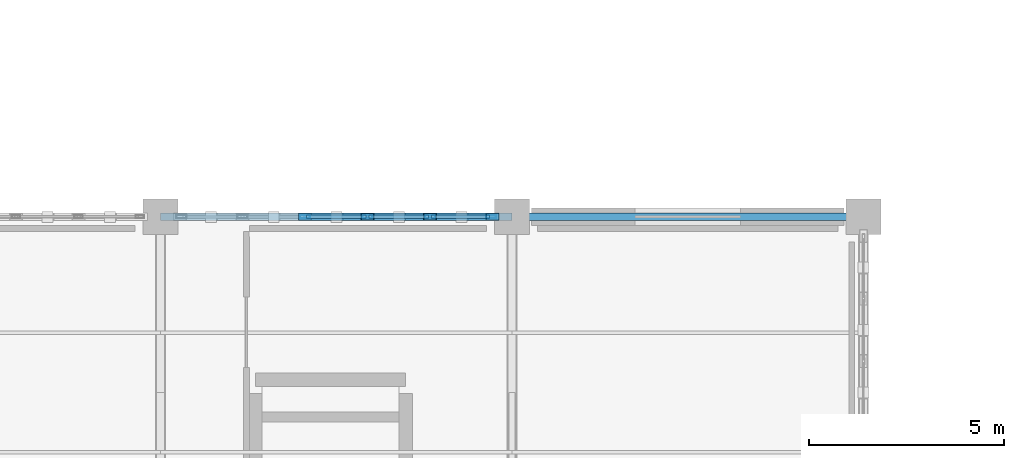
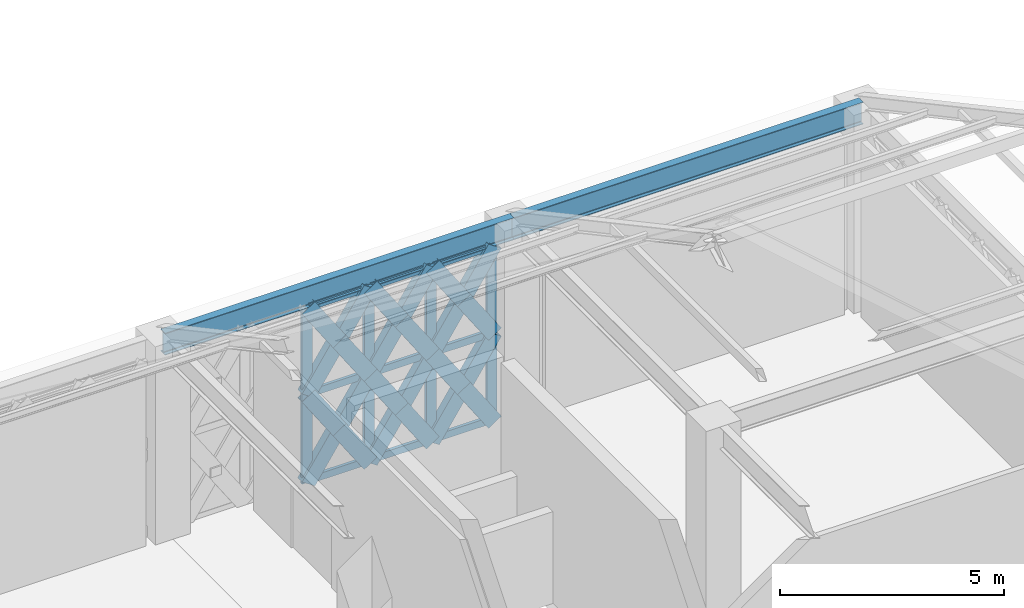
# One storey, part 68 of 166: 31 members, 2 beams, 1 element without a shape of its own.
"""IFC4 building model written with IfcOpenShell, lengths in metres."""

from ifc_helpers import new_model, si_unit, direction, frame, origin, origin_2d, place, context, subcontext, project, spatial, hollow_rectangle, i_section, extrude, material, material_profile, profile_set, type_object, element, aggregate, save


model = new_model("IFC4")

# Units and contexts
model_context = context("Model", 3, precision=1e-05, world=origin(), true_north=direction((0.0, 1.0)))
body_context = subcontext(model_context, "Body", "Model", "MODEL_VIEW")
ifc_project = project(units=[si_unit("LENGTHUNIT", "METRE"), si_unit("AREAUNIT", "SQUARE_METRE"), si_unit("VOLUMEUNIT", "CUBIC_METRE"), si_unit("PLANEANGLEUNIT", "RADIAN"), si_unit("MASSUNIT", "GRAM", prefix="KILO")], contexts=[model_context])

# Site, building, storey
site_placement = place(None, origin())
site = spatial("IfcSite", under=ifc_project, at=site_placement, CompositionType="ELEMENT")
building_placement = place(site_placement, origin())
building = spatial("IfcBuilding", under=site, at=building_placement, Name="Haizhuo Lancet Aquarium", CompositionType="ELEMENT")
storey_placement = place(building_placement, frame((0.0, 0.0, 5.39990234375)))
storey = spatial("IfcBuildingStorey", under=building, at=storey_placement, Name="L01", CompositionType="ELEMENT", Elevation=5.39990234375)

# Beams
ifc_material_1 = material(Name="Steel S355", Category="steel")
ifc_material_profile_1 = material_profile(ifc_material_1, i_section(OverallWidth=0.199951171875, OverallDepth=0.60009765625, WebThickness=0.010986328125, FlangeThickness=0.01708984375, FilletRadius=0.02197265625, at=origin_2d()), Name="HN 600x200x11x17")
ifc_profile_set_1 = profile_set([ifc_material_profile_1], Name="Steel S355")
beam_type = type_object("IfcBeamType", Name="BM-ST-HN600", PredefinedType="BEAM", material=ifc_profile_set_1)
for number, where, z_axis, x_axis, name in (
    (1, (-54.0, 27.0, 5.10009765625), (1.0, 0.0, 0.0), (0.0, 1.0, 0.0), "L01 V2 primary girder BM-L01-V2-017"),
    (2, (-45.0, 27.0, 5.10009765625), (1.0, 0.0, 0.0), (0.0, 1.0, 0.0), "L01 V2 primary girder BM-L01-V2-022"),
):
    element("IfcBeam", number, at=place(storey_placement, frame(where, z_axis=z_axis, x_axis=x_axis)), inside=storey, type_object=beam_type, Name=name, PredefinedType="BEAM", context=body_context, shape_type="SweptSolid", body=[
        extrude(i_section(OverallWidth=0.199951171875, OverallDepth=0.60009765625, WebThickness=0.010986328125, FlangeThickness=0.01708984375, FilletRadius=0.02197265625, at=origin_2d()), origin(), (0.0, 0.0, 1.0), 9.0),
    ])

# Curtain wall, members
ifc_material_2 = material(Name="Aluminium 6063-T6", Category="aluminium")
curtain_wall_type = type_object("IfcCurtainWallType", Name="CWD-8010x4800", PredefinedType="NOTDEFINED", material=ifc_material_2)
curtain_wall_placement = place(storey_placement, origin())
curtain_wall = element("IfcCurtainWall", 3, at=curtain_wall_placement, inside=storey, type_object=curtain_wall_type, Name="L01 curtain wall CW-V2-L01-024", PredefinedType="NOTDEFINED")
ifc_material_profile_2 = material_profile(ifc_material_2, hollow_rectangle(XDim=0.080078125, YDim=0.260009765625, WallThickness=0.0048828125, at=origin_2d()), Name="ALU-M 80x260x5")
ifc_profile_set_2 = profile_set([ifc_material_profile_2], Name="Aluminium 6063-T6")
member_type_1 = type_object("IfcMemberType", Name="CW-MUL-3", PredefinedType="MULLION", material=ifc_profile_set_2)
member_1_placement = place(storey_placement, frame((-50.301025390625, 27.0, 0.0), z_axis=(0.0, 0.0, 1.0), x_axis=(0.0, 1.0, 0.0)))
member_1 = element("IfcMember", 4, at=member_1_placement, type_object=member_type_1, Name="CWD-80x48 mullion 3", PredefinedType="MULLION", context=body_context, shape_type="SweptSolid", body=[
    extrude(hollow_rectangle(XDim=0.080078125, YDim=0.260009765625, WallThickness=0.0048828125, at=origin_2d()), origin(), (0.0, 0.0, 1.0), 4.800048828125),
])
member_2_placement = place(storey_placement, frame((-48.698974609375, 27.0, 0.0), z_axis=(0.0, 0.0, 1.0), x_axis=(0.0, 1.0, 0.0)))
member_2 = element("IfcMember", 5, at=member_2_placement, type_object=member_type_1, Name="CWD-80x48 mullion 4", PredefinedType="MULLION", context=body_context, shape_type="SweptSolid", body=[
    extrude(hollow_rectangle(XDim=0.080078125, YDim=0.260009765625, WallThickness=0.0048828125, at=origin_2d()), origin(), (0.0, 0.0, 1.0), 4.800048828125),
])
member_3_placement = place(storey_placement, frame((-47.096923828125, 27.0, 0.0), z_axis=(0.0, 0.0, 1.0), x_axis=(0.0, 1.0, 0.0)))
member_3 = element("IfcMember", 6, at=member_3_placement, type_object=member_type_1, Name="CWD-80x48 mullion 5", PredefinedType="MULLION", context=body_context, shape_type="SweptSolid", body=[
    extrude(hollow_rectangle(XDim=0.080078125, YDim=0.260009765625, WallThickness=0.0048828125, at=origin_2d()), origin(), (0.0, 0.0, 1.0), 4.800048828125),
])
member_4_placement = place(storey_placement, frame((-45.534912109375, 27.0, 0.0), z_axis=(0.0, 0.0, 1.0), x_axis=(0.0, 1.0, 0.0)))
member_4 = element("IfcMember", 7, at=member_4_placement, type_object=member_type_1, Name="CWD-80x48 mullion 6", PredefinedType="MULLION", context=body_context, shape_type="SweptSolid", body=[
    extrude(hollow_rectangle(XDim=0.080078125, YDim=0.260009765625, WallThickness=0.0048828125, at=origin_2d()), origin(), (0.0, 0.0, 1.0), 4.800048828125),
])
ifc_material_profile_3 = material_profile(ifc_material_2, hollow_rectangle(XDim=0.080078125, YDim=0.18994140625, WallThickness=0.0048828125, at=origin_2d()), Name="ALU-T 80x190x5")
ifc_profile_set_3 = profile_set([ifc_material_profile_3], Name="Aluminium 6063-T6")
member_type_2 = type_object("IfcMemberType", Name="CW-TRN-3", PredefinedType="NOTDEFINED", material=ifc_profile_set_3)
member_5_placement = place(storey_placement, frame((-50.260986328125, 27.0, 0.0400390625), z_axis=(1.0, 0.0, 0.0), x_axis=(0.0, 1.0, 0.0)))
member_5 = element("IfcMember", 8, at=member_5_placement, type_object=member_type_2, Name="CWD-80x48 transom 3.1", ObjectType="TRANSOM", PredefinedType="USERDEFINED", context=body_context, shape_type="SweptSolid", body=[
    extrude(hollow_rectangle(XDim=0.080078125, YDim=0.18994140625, WallThickness=0.0048828125, at=origin_2d()), origin(), (0.0, 0.0, 1.0), 1.52197265625),
])
member_6_placement = place(storey_placement, frame((-50.260986328125, 27.0, 2.400146484375), z_axis=(1.0, 0.0, 0.0), x_axis=(0.0, 1.0, 0.0)))
member_6 = element("IfcMember", 9, at=member_6_placement, type_object=member_type_2, Name="CWD-80x48 transom 3.2", ObjectType="TRANSOM", PredefinedType="USERDEFINED", context=body_context, shape_type="SweptSolid", body=[
    extrude(hollow_rectangle(XDim=0.080078125, YDim=0.18994140625, WallThickness=0.0048828125, at=origin_2d()), origin(), (0.0, 0.0, 1.0), 1.52197265625),
])
member_7_placement = place(storey_placement, frame((-50.260986328125, 27.0, 4.760009765625), z_axis=(1.0, 0.0, 0.0), x_axis=(0.0, 1.0, 0.0)))
member_7 = element("IfcMember", 10, at=member_7_placement, type_object=member_type_2, Name="CWD-80x48 transom 3.3", ObjectType="TRANSOM", PredefinedType="USERDEFINED", context=body_context, shape_type="SweptSolid", body=[
    extrude(hollow_rectangle(XDim=0.080078125, YDim=0.18994140625, WallThickness=0.0048828125, at=origin_2d()), origin(), (0.0, 0.0, 1.0), 1.52197265625),
])
member_8_placement = place(storey_placement, frame((-48.658935546875, 27.0, 0.0400390625), z_axis=(1.0, 0.0, 0.0), x_axis=(0.0, 1.0, 0.0)))
member_8 = element("IfcMember", 11, at=member_8_placement, type_object=member_type_2, Name="CWD-80x48 transom 4.1", ObjectType="TRANSOM", PredefinedType="USERDEFINED", context=body_context, shape_type="SweptSolid", body=[
    extrude(hollow_rectangle(XDim=0.080078125, YDim=0.18994140625, WallThickness=0.0048828125, at=origin_2d()), origin(), (0.0, 0.0, 1.0), 1.52197265625),
])
member_9_placement = place(storey_placement, frame((-48.658935546875, 27.0, 2.400146484375), z_axis=(1.0, 0.0, 0.0), x_axis=(0.0, 1.0, 0.0)))
member_9 = element("IfcMember", 12, at=member_9_placement, type_object=member_type_2, Name="CWD-80x48 transom 4.2", ObjectType="TRANSOM", PredefinedType="USERDEFINED", context=body_context, shape_type="SweptSolid", body=[
    extrude(hollow_rectangle(XDim=0.080078125, YDim=0.18994140625, WallThickness=0.0048828125, at=origin_2d()), origin(), (0.0, 0.0, 1.0), 1.52197265625),
])
member_10_placement = place(storey_placement, frame((-48.658935546875, 27.0, 4.760009765625), z_axis=(1.0, 0.0, 0.0), x_axis=(0.0, 1.0, 0.0)))
member_10 = element("IfcMember", 13, at=member_10_placement, type_object=member_type_2, Name="CWD-80x48 transom 4.3", ObjectType="TRANSOM", PredefinedType="USERDEFINED", context=body_context, shape_type="SweptSolid", body=[
    extrude(hollow_rectangle(XDim=0.080078125, YDim=0.18994140625, WallThickness=0.0048828125, at=origin_2d()), origin(), (0.0, 0.0, 1.0), 1.52197265625),
])
member_11_placement = place(storey_placement, frame((-47.056884765625, 27.0, 0.0400390625), z_axis=(1.0, 0.0, 0.0), x_axis=(0.0, 1.0, 0.0)))
member_11 = element("IfcMember", 14, at=member_11_placement, type_object=member_type_2, Name="CWD-80x48 transom 5.1", ObjectType="TRANSOM", PredefinedType="USERDEFINED", context=body_context, shape_type="SweptSolid", body=[
    extrude(hollow_rectangle(XDim=0.080078125, YDim=0.18994140625, WallThickness=0.0048828125, at=origin_2d()), origin(), (0.0, 0.0, 1.0), 1.48193359375),
])
member_12_placement = place(storey_placement, frame((-47.056884765625, 27.0, 2.400146484375), z_axis=(1.0, 0.0, 0.0), x_axis=(0.0, 1.0, 0.0)))
member_12 = element("IfcMember", 15, at=member_12_placement, type_object=member_type_2, Name="CWD-80x48 transom 5.2", ObjectType="TRANSOM", PredefinedType="USERDEFINED", context=body_context, shape_type="SweptSolid", body=[
    extrude(hollow_rectangle(XDim=0.080078125, YDim=0.18994140625, WallThickness=0.0048828125, at=origin_2d()), origin(), (0.0, 0.0, 1.0), 1.48193359375),
])
member_13_placement = place(storey_placement, frame((-47.056884765625, 27.0, 4.760009765625), z_axis=(1.0, 0.0, 0.0), x_axis=(0.0, 1.0, 0.0)))
member_13 = element("IfcMember", 16, at=member_13_placement, type_object=member_type_2, Name="CWD-80x48 transom 5.3", ObjectType="TRANSOM", PredefinedType="USERDEFINED", context=body_context, shape_type="SweptSolid", body=[
    extrude(hollow_rectangle(XDim=0.080078125, YDim=0.18994140625, WallThickness=0.0048828125, at=origin_2d()), origin(), (0.0, 0.0, 1.0), 1.48193359375),
])
aggregate(curtain_wall, [member_1, member_2, member_3, member_4, member_5, member_6, member_7, member_8, member_9, member_10, member_11, member_12, member_13])

# Members
ifc_material_profile_4 = material_profile(ifc_material_1, hollow_rectangle(XDim=0.199951171875, YDim=0.39990234375, WallThickness=0.011962890625, at=origin_2d()), Name="RHS 200x400x12")
ifc_profile_set_4 = profile_set([ifc_material_profile_4], Name="Steel S355")
member_type_3 = type_object("IfcMemberType", Name="MEM-LB-RHS200x400", PredefinedType="BRACE", material=ifc_profile_set_4)
member_14_placement = place(storey_placement, frame((-50.301025390625, 27.0, 0.0), z_axis=(0.555168681931, 0.0, 0.831737779954), x_axis=(0.0, 1.0, 0.0)))
element("IfcMember", 17, at=member_14_placement, inside=storey, type_object=member_type_3, Name="Gothic lancet continuous diagonal brace CW-V2-L01-024 5A", PredefinedType="BRACE", context=body_context, shape_type="SweptSolid", body=[
    extrude(hollow_rectangle(XDim=0.199951171875, YDim=0.39990234375, WallThickness=0.011962890625, at=origin_2d()), origin(), (0.0, 0.0, 1.0), 2.8857421875),
])
member_15_placement = place(storey_placement, frame((-48.698974609375, 27.0, 0.0), z_axis=(-0.555129617962, 0.0, 0.831763853063), x_axis=(0.0, -1.0, 0.0)))
element("IfcMember", 18, at=member_15_placement, inside=storey, type_object=member_type_3, Name="Gothic lancet split diagonal brace CW-V2-L01-024 5B1", PredefinedType="BRACE", context=body_context, shape_type="SweptSolid", body=[
    extrude(hollow_rectangle(XDim=0.199951171875, YDim=0.39990234375, WallThickness=0.011962890625, at=origin_2d()), origin(), (0.0, 0.0, 1.0), 1.44287109375),
])
member_16_placement = place(storey_placement, frame((-49.5, 27.0, 1.2001953125), z_axis=(-0.555207750173, 0.0, 0.831711701341), x_axis=(0.0, -1.0, 0.0)))
element("IfcMember", 19, at=member_16_placement, inside=storey, type_object=member_type_3, Name="Gothic lancet split diagonal brace CW-V2-L01-024 5B2", PredefinedType="BRACE", context=body_context, shape_type="SweptSolid", body=[
    extrude(hollow_rectangle(XDim=0.199951171875, YDim=0.39990234375, WallThickness=0.011962890625, at=origin_2d()), origin(), (0.0, 0.0, 1.0), 1.442626953125),
])
member_17_placement = place(storey_placement, frame((-50.301025390625, 27.0, 2.400146484375), z_axis=(0.555207750173, 0.0, 0.831711701341), x_axis=(0.0, 1.0, 0.0)))
element("IfcMember", 20, at=member_17_placement, inside=storey, type_object=member_type_3, Name="Gothic lancet continuous diagonal brace CW-V2-L01-024 6A", PredefinedType="BRACE", context=body_context, shape_type="SweptSolid", body=[
    extrude(hollow_rectangle(XDim=0.199951171875, YDim=0.39990234375, WallThickness=0.011962890625, at=origin_2d()), origin(), (0.0, 0.0, 1.0), 2.885498046875),
])
for number, where, z_axis, x_axis, name in (
    (21, (-48.698974609375, 27.0, 2.400146484375), (-0.555207750173, 0.0, 0.831711701341), (0.0, -1.0, 0.0), "Gothic lancet split diagonal brace CW-V2-L01-024 6B1"),
    (22, (-49.5, 27.0, 3.60009765625), (-0.555207750173, 0.0, 0.831711701341), (0.0, -1.0, 0.0), "Gothic lancet split diagonal brace CW-V2-L01-024 6B2"),
):
    element("IfcMember", number, at=place(storey_placement, frame(where, z_axis=z_axis, x_axis=x_axis)), inside=storey, type_object=member_type_3, Name=name, PredefinedType="BRACE", context=body_context, shape_type="SweptSolid", body=[
        extrude(hollow_rectangle(XDim=0.199951171875, YDim=0.39990234375, WallThickness=0.011962890625, at=origin_2d()), origin(), (0.0, 0.0, 1.0), 1.442626953125),
    ])
member_18_placement = place(storey_placement, frame((-48.698974609375, 27.0, 0.0), z_axis=(0.555168681931, 0.0, 0.831737779954), x_axis=(0.0, 1.0, 0.0)))
element("IfcMember", 23, at=member_18_placement, inside=storey, type_object=member_type_3, Name="Gothic lancet continuous diagonal brace CW-V2-L01-024 7A", PredefinedType="BRACE", context=body_context, shape_type="SweptSolid", body=[
    extrude(hollow_rectangle(XDim=0.199951171875, YDim=0.39990234375, WallThickness=0.011962890625, at=origin_2d()), origin(), (0.0, 0.0, 1.0), 2.8857421875),
])
member_19_placement = place(storey_placement, frame((-47.096923828125, 27.0, 0.0), z_axis=(-0.555129617962, 0.0, 0.831763853063), x_axis=(0.0, -1.0, 0.0)))
element("IfcMember", 24, at=member_19_placement, inside=storey, type_object=member_type_3, Name="Gothic lancet split diagonal brace CW-V2-L01-024 7B1", PredefinedType="BRACE", context=body_context, shape_type="SweptSolid", body=[
    extrude(hollow_rectangle(XDim=0.199951171875, YDim=0.39990234375, WallThickness=0.011962890625, at=origin_2d()), origin(), (0.0, 0.0, 1.0), 1.44287109375),
])
member_20_placement = place(storey_placement, frame((-47.89794921875, 27.0, 1.2001953125), z_axis=(-0.555207750173, 0.0, 0.831711701341), x_axis=(0.0, -1.0, 0.0)))
element("IfcMember", 25, at=member_20_placement, inside=storey, type_object=member_type_3, Name="Gothic lancet split diagonal brace CW-V2-L01-024 7B2", PredefinedType="BRACE", context=body_context, shape_type="SweptSolid", body=[
    extrude(hollow_rectangle(XDim=0.199951171875, YDim=0.39990234375, WallThickness=0.011962890625, at=origin_2d()), origin(), (0.0, 0.0, 1.0), 1.442626953125),
])
member_21_placement = place(storey_placement, frame((-48.698974609375, 27.0, 2.400146484375), z_axis=(0.555207750173, 0.0, 0.831711701341), x_axis=(0.0, 1.0, 0.0)))
element("IfcMember", 26, at=member_21_placement, inside=storey, type_object=member_type_3, Name="Gothic lancet continuous diagonal brace CW-V2-L01-024 8A", PredefinedType="BRACE", context=body_context, shape_type="SweptSolid", body=[
    extrude(hollow_rectangle(XDim=0.199951171875, YDim=0.39990234375, WallThickness=0.011962890625, at=origin_2d()), origin(), (0.0, 0.0, 1.0), 2.885498046875),
])
for number, where, z_axis, x_axis, name in (
    (27, (-47.096923828125, 27.0, 2.400146484375), (-0.555207750173, 0.0, 0.831711701341), (0.0, -1.0, 0.0), "Gothic lancet split diagonal brace CW-V2-L01-024 8B1"),
    (28, (-47.89794921875, 27.0, 3.60009765625), (-0.555207750173, 0.0, 0.831711701341), (0.0, -1.0, 0.0), "Gothic lancet split diagonal brace CW-V2-L01-024 8B2"),
):
    element("IfcMember", number, at=place(storey_placement, frame(where, z_axis=z_axis, x_axis=x_axis)), inside=storey, type_object=member_type_3, Name=name, PredefinedType="BRACE", context=body_context, shape_type="SweptSolid", body=[
        extrude(hollow_rectangle(XDim=0.199951171875, YDim=0.39990234375, WallThickness=0.011962890625, at=origin_2d()), origin(), (0.0, 0.0, 1.0), 1.442626953125),
    ])
member_22_placement = place(storey_placement, frame((-47.096923828125, 27.0, 0.0), z_axis=(0.555110150089, 0.0, 0.831776845835), x_axis=(0.0, 1.0, 0.0)))
element("IfcMember", 29, at=member_22_placement, inside=storey, type_object=member_type_3, Name="Gothic lancet continuous diagonal brace CW-V2-L01-024 9A", PredefinedType="BRACE", context=body_context, shape_type="SweptSolid", body=[
    extrude(hollow_rectangle(XDim=0.199951171875, YDim=0.39990234375, WallThickness=0.011962890625, at=origin_2d()), origin(), (0.0, 0.0, 1.0), 2.885498046875),
])
member_23_placement = place(storey_placement, frame((-45.4951171875, 27.0, 0.0), z_axis=(-0.555012546931, 0.0, 0.831841975828), x_axis=(0.0, -1.0, 0.0)))
element("IfcMember", 30, at=member_23_placement, inside=storey, type_object=member_type_3, Name="Gothic lancet split diagonal brace CW-V2-L01-024 9B1", PredefinedType="BRACE", context=body_context, shape_type="SweptSolid", body=[
    extrude(hollow_rectangle(XDim=0.199951171875, YDim=0.39990234375, WallThickness=0.011962890625, at=origin_2d()), origin(), (0.0, 0.0, 1.0), 1.44287109375),
])
member_24_placement = place(storey_placement, frame((-46.2958984375, 27.0, 1.2001953125), z_axis=(-0.555207750173, 0.0, 0.831711701341), x_axis=(0.0, -1.0, 0.0)))
element("IfcMember", 31, at=member_24_placement, inside=storey, type_object=member_type_3, Name="Gothic lancet split diagonal brace CW-V2-L01-024 9B2", PredefinedType="BRACE", context=body_context, shape_type="SweptSolid", body=[
    extrude(hollow_rectangle(XDim=0.199951171875, YDim=0.39990234375, WallThickness=0.011962890625, at=origin_2d()), origin(), (0.0, 0.0, 1.0), 1.442626953125),
])
member_25_placement = place(storey_placement, frame((-47.096923828125, 27.0, 2.400146484375), z_axis=(0.555149217883, 0.0, 0.831750771496), x_axis=(0.0, 1.0, 0.0)))
element("IfcMember", 32, at=member_25_placement, inside=storey, type_object=member_type_3, Name="Gothic lancet continuous diagonal brace CW-V2-L01-024 10A", PredefinedType="BRACE", context=body_context, shape_type="SweptSolid", body=[
    extrude(hollow_rectangle(XDim=0.199951171875, YDim=0.39990234375, WallThickness=0.011962890625, at=origin_2d()), origin(), (0.0, 0.0, 1.0), 2.88525390625),
])
for number, where, z_axis, x_axis, name in (
    (33, (-45.4951171875, 27.0, 2.400146484375), (-0.555090677343, 0.0, 0.831789841202), (0.0, -1.0, 0.0), "Gothic lancet split diagonal brace CW-V2-L01-024 10B1"),
    (34, (-46.2958984375, 27.0, 3.60009765625), (-0.555207750173, 0.0, 0.831711701341), (0.0, -1.0, 0.0), "Gothic lancet split diagonal brace CW-V2-L01-024 10B2"),
):
    element("IfcMember", number, at=place(storey_placement, frame(where, z_axis=z_axis, x_axis=x_axis)), inside=storey, type_object=member_type_3, Name=name, PredefinedType="BRACE", context=body_context, shape_type="SweptSolid", body=[
        extrude(hollow_rectangle(XDim=0.199951171875, YDim=0.39990234375, WallThickness=0.011962890625, at=origin_2d()), origin(), (0.0, 0.0, 1.0), 1.442626953125),
    ])

save(model, "model.ifc")
